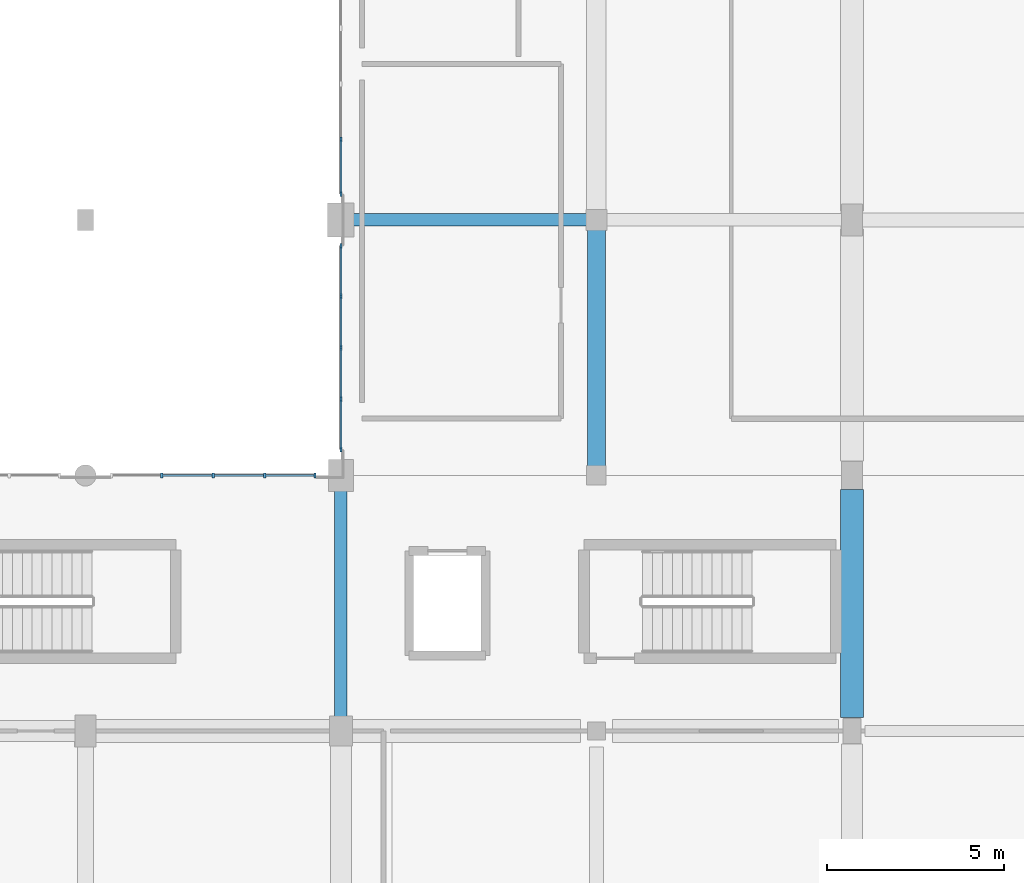
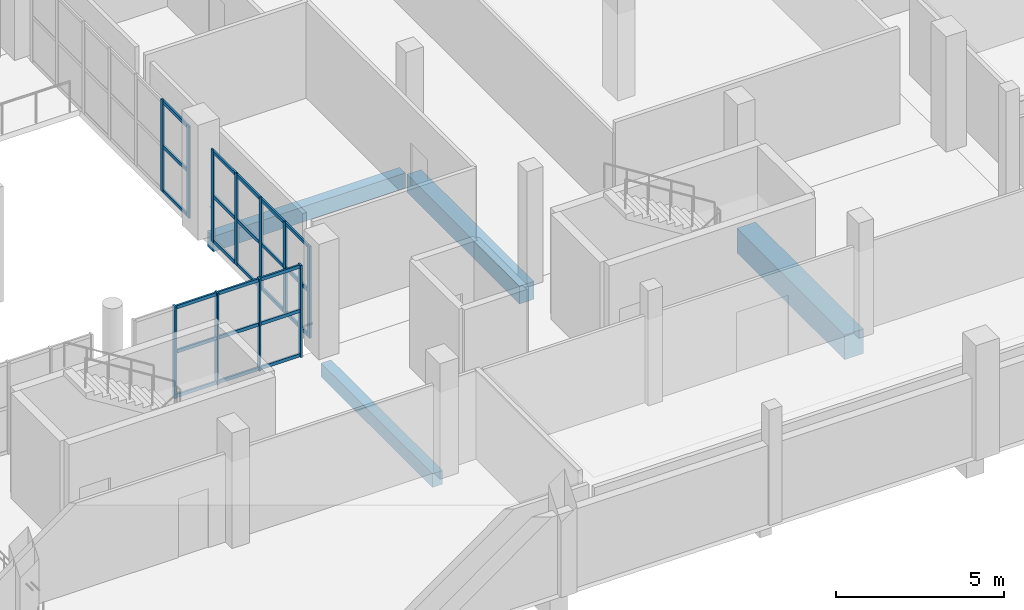
# One storey, part 27 of 92: 35 members, 4 beams, 3 elements without a shape of their own.
"""IFC4 building model written with IfcOpenShell, lengths in metres."""

from ifc_helpers import new_model, si_unit, direction, frame, origin, origin_2d, place, context, subcontext, project, spatial, rectangle, extrude, material, material_profile, profile_set, type_object, element, aggregate, save


model = new_model("IFC4")

# Units and contexts
model_context = context("Model", 3, precision=1e-05, world=origin(), true_north=direction((0.0, 1.0)))
body_context = subcontext(model_context, "Body", "Model", "MODEL_VIEW")
ifc_project = project(units=[si_unit("LENGTHUNIT", "METRE"), si_unit("AREAUNIT", "SQUARE_METRE"), si_unit("VOLUMEUNIT", "CUBIC_METRE"), si_unit("PLANEANGLEUNIT", "RADIAN"), si_unit("MASSUNIT", "GRAM", prefix="KILO")], contexts=[model_context])

# Site, building, storey
site_placement = place(None, origin())
site = spatial("IfcSite", under=ifc_project, at=site_placement, CompositionType="ELEMENT")
building_placement = place(site_placement, origin())
building = spatial("IfcBuilding", under=site, at=building_placement, Name="Solanera Park Tramway Depot", CompositionType="ELEMENT")
storey_placement = place(building_placement, frame((0.0, 0.0, 4.800048828125)))
storey = spatial("IfcBuildingStorey", under=building, at=storey_placement, Name="L01", CompositionType="ELEMENT", Elevation=4.800048828125)

# Curtain wall, members
ifc_material_1 = material(Name="Bronze-anodised thermally broken aluminium curtain wall", Category="aluminium")
curtain_wall_type = type_object("IfcCurtainWallType", Name="Courtyard Cloister Unitised Curtain Wall", PredefinedType="NOTDEFINED", material=ifc_material_1)
curtain_wall_1_placement = place(storey_placement, origin())
curtain_wall_1 = element("IfcCurtainWall", 1, at=curtain_wall_1_placement, inside=storey, type_object=curtain_wall_type, Name="L01 Courtyard Cloister Unitised Curtain Wall #093", PredefinedType="NOTDEFINED")
ifc_material_2 = material(Name="Bronze-anodised structural aluminium 6063-T6", Category="aluminium")
ifc_material_profile_1 = material_profile(ifc_material_2, rectangle(XDim=0.06494140625, YDim=0.14990234375, at=origin_2d()), Name="Curtain Wall Mullion 65x150")
ifc_profile_set_1 = profile_set([ifc_material_profile_1], Name="Bronze-anodised structural aluminium 6063-T6")
member_type_1 = type_object("IfcMemberType", Name="Curtain Wall Mullion 65x150", PredefinedType="MULLION", material=ifc_profile_set_1)
member_1_placement = place(storey_placement, frame((160.550048828125, 25.199951171875, 0.0), z_axis=(0.0, 0.0, 1.0), x_axis=(1.0, 0.0, 0.0)))
member_1 = element("IfcMember", 2, at=member_1_placement, type_object=member_type_1, Name="CW-L01-093 Mullion 2", PredefinedType="MULLION", context=body_context, shape_type="SweptSolid", body=[
    extrude(rectangle(XDim=0.06494140625, YDim=0.14990234375, at=origin_2d()), origin(), (0.0, 0.0, 1.0), 3.349853515625),
])
member_2_placement = place(storey_placement, frame((162.0, 25.199951171875, 0.0), z_axis=(0.0, 0.0, 1.0), x_axis=(1.0, 0.0, 0.0)))
member_2 = element("IfcMember", 3, at=member_2_placement, type_object=member_type_1, Name="CW-L01-093 Mullion 3", PredefinedType="MULLION", context=body_context, shape_type="SweptSolid", body=[
    extrude(rectangle(XDim=0.06494140625, YDim=0.14990234375, at=origin_2d()), origin(), (0.0, 0.0, 1.0), 3.349853515625),
])
member_3_placement = place(storey_placement, frame((163.449951171875, 25.199951171875, 0.0), z_axis=(0.0, 0.0, 1.0), x_axis=(1.0, 0.0, 0.0)))
member_3 = element("IfcMember", 4, at=member_3_placement, type_object=member_type_1, Name="CW-L01-093 Mullion 4", PredefinedType="MULLION", context=body_context, shape_type="SweptSolid", body=[
    extrude(rectangle(XDim=0.06494140625, YDim=0.14990234375, at=origin_2d()), origin(), (0.0, 0.0, 1.0), 3.349853515625),
])
member_4_placement = place(storey_placement, frame((164.867431640625, 25.199951171875, 0.0), z_axis=(0.0, 0.0, 1.0), x_axis=(1.0, 0.0, 0.0)))
member_4 = element("IfcMember", 5, at=member_4_placement, type_object=member_type_1, Name="CW-L01-093 Mullion 5", PredefinedType="MULLION", context=body_context, shape_type="SweptSolid", body=[
    extrude(rectangle(XDim=0.06494140625, YDim=0.14990234375, at=origin_2d()), origin(), (0.0, 0.0, 1.0), 3.349853515625),
])

curtain_wall_2_placement = place(storey_placement, origin())
curtain_wall_2 = element("IfcCurtainWall", 6, at=curtain_wall_2_placement, inside=storey, type_object=curtain_wall_type, Name="L01 Courtyard Cloister Unitised Curtain Wall #101", PredefinedType="NOTDEFINED")
member_5_placement = place(storey_placement, frame((165.60009765625, 31.66748046875, 0.0), z_axis=(0.0, 0.0, 1.0), x_axis=(1.0, 0.0, 0.0)))
member_5 = element("IfcMember", 7, at=member_5_placement, type_object=member_type_1, Name="CW-L01-101 Mullion 1", PredefinedType="MULLION", context=body_context, shape_type="SweptSolid", body=[
    extrude(rectangle(XDim=0.06494140625, YDim=0.14990234375, at=origin_2d()), origin(), (0.0, 0.0, 1.0), 3.349853515625),
])
member_6_placement = place(storey_placement, frame((165.60009765625, 30.25, 0.0), z_axis=(0.0, 0.0, 1.0), x_axis=(1.0, 0.0, 0.0)))
member_6 = element("IfcMember", 8, at=member_6_placement, type_object=member_type_1, Name="CW-L01-101 Mullion 2", PredefinedType="MULLION", context=body_context, shape_type="SweptSolid", body=[
    extrude(rectangle(XDim=0.06494140625, YDim=0.14990234375, at=origin_2d()), origin(), (0.0, 0.0, 1.0), 3.349853515625),
])
member_7_placement = place(storey_placement, frame((165.60009765625, 28.800048828125, 0.0), z_axis=(0.0, 0.0, 1.0), x_axis=(1.0, 0.0, 0.0)))
member_7 = element("IfcMember", 9, at=member_7_placement, type_object=member_type_1, Name="CW-L01-101 Mullion 3", PredefinedType="MULLION", context=body_context, shape_type="SweptSolid", body=[
    extrude(rectangle(XDim=0.06494140625, YDim=0.14990234375, at=origin_2d()), origin(), (0.0, 0.0, 1.0), 3.349853515625),
])
member_8_placement = place(storey_placement, frame((165.60009765625, 27.35009765625, 0.0), z_axis=(0.0, 0.0, 1.0), x_axis=(1.0, 0.0, 0.0)))
member_8 = element("IfcMember", 10, at=member_8_placement, type_object=member_type_1, Name="CW-L01-101 Mullion 4", PredefinedType="MULLION", context=body_context, shape_type="SweptSolid", body=[
    extrude(rectangle(XDim=0.06494140625, YDim=0.14990234375, at=origin_2d()), origin(), (0.0, 0.0, 1.0), 3.349853515625),
])
member_9_placement = place(storey_placement, frame((165.60009765625, 25.9326171875, 0.0), z_axis=(0.0, 0.0, 1.0), x_axis=(1.0, 0.0, 0.0)))
member_9 = element("IfcMember", 11, at=member_9_placement, type_object=member_type_1, Name="CW-L01-101 Mullion 5", PredefinedType="MULLION", context=body_context, shape_type="SweptSolid", body=[
    extrude(rectangle(XDim=0.06494140625, YDim=0.14990234375, at=origin_2d()), origin(), (0.0, 0.0, 1.0), 3.349853515625),
])

curtain_wall_3_placement = place(storey_placement, origin())
curtain_wall_3 = element("IfcCurtainWall", 12, at=curtain_wall_3_placement, inside=storey, type_object=curtain_wall_type, Name="L01 Courtyard Cloister Unitised Curtain Wall #103", PredefinedType="NOTDEFINED")
member_10_placement = place(storey_placement, frame((165.60009765625, 34.666748046875, 0.0), z_axis=(0.0, 0.0, 1.0), x_axis=(1.0, 0.0, 0.0)))
member_10 = element("IfcMember", 13, at=member_10_placement, type_object=member_type_1, Name="CW-L01-103 Mullion 6", PredefinedType="MULLION", context=body_context, shape_type="SweptSolid", body=[
    extrude(rectangle(XDim=0.06494140625, YDim=0.14990234375, at=origin_2d()), origin(), (0.0, 0.0, 1.0), 3.349853515625),
])
member_11_placement = place(storey_placement, frame((165.60009765625, 33.132568359375, 0.0), z_axis=(0.0, 0.0, 1.0), x_axis=(1.0, 0.0, 0.0)))
member_11 = element("IfcMember", 14, at=member_11_placement, type_object=member_type_1, Name="CW-L01-103 Mullion 7", PredefinedType="MULLION", context=body_context, shape_type="SweptSolid", body=[
    extrude(rectangle(XDim=0.06494140625, YDim=0.14990234375, at=origin_2d()), origin(), (0.0, 0.0, 1.0), 3.349853515625),
])

# Member
ifc_material_3 = material(Name="Bronze-anodised structural aluminium 6063-T6", Category="aluminium")
ifc_material_profile_2 = material_profile(ifc_material_3, rectangle(XDim=0.06494140625, YDim=0.1201171875, at=origin_2d()), Name="Curtain Wall Transom 65x120")
ifc_profile_set_2 = profile_set([ifc_material_profile_2], Name="Bronze-anodised structural aluminium 6063-T6")
member_type_2 = type_object("IfcMemberType", Name="Curtain Wall Transom 65x120", PredefinedType="USERDEFINED", material=ifc_profile_set_2)
member_12_placement = place(storey_placement, frame((160.577880859375, 25.199951171875, 0.06005859375), z_axis=(1.0, 0.0, 0.0), x_axis=(0.0, 1.0, 0.0)))
member_12 = element("IfcMember", 15, at=member_12_placement, type_object=member_type_2, Name="CW-L01-093 Transom R1.C2", ObjectType="TRANSOM", PredefinedType="USERDEFINED", context=body_context, shape_type="SweptSolid", body=[
    extrude(rectangle(XDim=0.06494140625, YDim=0.1201171875, at=origin_2d()), origin(), (0.0, 0.0, 1.0), 1.39404296875),
])

member_13_placement = place(storey_placement, frame((162.028076171875, 25.199951171875, 0.06005859375), z_axis=(1.0, 0.0, 0.0), x_axis=(0.0, 1.0, 0.0)))
member_13 = element("IfcMember", 16, at=member_13_placement, type_object=member_type_2, Name="CW-L01-093 Transom R1.C3", ObjectType="TRANSOM", PredefinedType="USERDEFINED", context=body_context, shape_type="SweptSolid", body=[
    extrude(rectangle(XDim=0.06494140625, YDim=0.1201171875, at=origin_2d()), origin(), (0.0, 0.0, 1.0), 1.39404296875),
])

member_14_placement = place(storey_placement, frame((163.47802734375, 25.199951171875, 0.06005859375), z_axis=(1.0, 0.0, 0.0), x_axis=(0.0, 1.0, 0.0)))
member_14 = element("IfcMember", 17, at=member_14_placement, type_object=member_type_2, Name="CW-L01-093 Transom R1.C4", ObjectType="TRANSOM", PredefinedType="USERDEFINED", context=body_context, shape_type="SweptSolid", body=[
    extrude(rectangle(XDim=0.06494140625, YDim=0.1201171875, at=origin_2d()), origin(), (0.0, 0.0, 1.0), 1.361572265625),
])

member_15_placement = place(storey_placement, frame((160.577880859375, 25.199951171875, 1.675048828125), z_axis=(1.0, 0.0, 0.0), x_axis=(0.0, 1.0, 0.0)))
member_15 = element("IfcMember", 18, at=member_15_placement, type_object=member_type_2, Name="CW-L01-093 Transom R2.C2", ObjectType="TRANSOM", PredefinedType="USERDEFINED", context=body_context, shape_type="SweptSolid", body=[
    extrude(rectangle(XDim=0.06494140625, YDim=0.1201171875, at=origin_2d()), origin(), (0.0, 0.0, 1.0), 1.39404296875),
])

member_16_placement = place(storey_placement, frame((162.028076171875, 25.199951171875, 1.675048828125), z_axis=(1.0, 0.0, 0.0), x_axis=(0.0, 1.0, 0.0)))
member_16 = element("IfcMember", 19, at=member_16_placement, type_object=member_type_2, Name="CW-L01-093 Transom R2.C3", ObjectType="TRANSOM", PredefinedType="USERDEFINED", context=body_context, shape_type="SweptSolid", body=[
    extrude(rectangle(XDim=0.06494140625, YDim=0.1201171875, at=origin_2d()), origin(), (0.0, 0.0, 1.0), 1.39404296875),
])

member_17_placement = place(storey_placement, frame((163.47802734375, 25.199951171875, 1.675048828125), z_axis=(1.0, 0.0, 0.0), x_axis=(0.0, 1.0, 0.0)))
member_17 = element("IfcMember", 20, at=member_17_placement, type_object=member_type_2, Name="CW-L01-093 Transom R2.C4", ObjectType="TRANSOM", PredefinedType="USERDEFINED", context=body_context, shape_type="SweptSolid", body=[
    extrude(rectangle(XDim=0.06494140625, YDim=0.1201171875, at=origin_2d()), origin(), (0.0, 0.0, 1.0), 1.361572265625),
])

member_18_placement = place(storey_placement, frame((160.577880859375, 25.199951171875, 3.2900390625), z_axis=(1.0, 0.0, 0.0), x_axis=(0.0, 1.0, 0.0)))
member_18 = element("IfcMember", 21, at=member_18_placement, type_object=member_type_2, Name="CW-L01-093 Transom R3.C2", ObjectType="TRANSOM", PredefinedType="USERDEFINED", context=body_context, shape_type="SweptSolid", body=[
    extrude(rectangle(XDim=0.06494140625, YDim=0.1201171875, at=origin_2d()), origin(), (0.0, 0.0, 1.0), 1.39404296875),
])

member_19_placement = place(storey_placement, frame((162.028076171875, 25.199951171875, 3.2900390625), z_axis=(1.0, 0.0, 0.0), x_axis=(0.0, 1.0, 0.0)))
member_19 = element("IfcMember", 22, at=member_19_placement, type_object=member_type_2, Name="CW-L01-093 Transom R3.C3", ObjectType="TRANSOM", PredefinedType="USERDEFINED", context=body_context, shape_type="SweptSolid", body=[
    extrude(rectangle(XDim=0.06494140625, YDim=0.1201171875, at=origin_2d()), origin(), (0.0, 0.0, 1.0), 1.39404296875),
])

member_20_placement = place(storey_placement, frame((163.47802734375, 25.199951171875, 3.2900390625), z_axis=(1.0, 0.0, 0.0), x_axis=(0.0, 1.0, 0.0)))
member_20 = element("IfcMember", 23, at=member_20_placement, type_object=member_type_2, Name="CW-L01-093 Transom R3.C4", ObjectType="TRANSOM", PredefinedType="USERDEFINED", context=body_context, shape_type="SweptSolid", body=[
    extrude(rectangle(XDim=0.06494140625, YDim=0.1201171875, at=origin_2d()), origin(), (0.0, 0.0, 1.0), 1.361572265625),
])

aggregate(curtain_wall_1, [member_1, member_2, member_3, member_4, member_12, member_13, member_14, member_15, member_16, member_17, member_18, member_19, member_20])

member_21_placement = place(storey_placement, frame((165.60009765625, 31.639404296875, 0.06005859375), z_axis=(0.0, -1.0, 0.0), x_axis=(1.0, 0.0, 0.0)))
member_21 = element("IfcMember", 24, at=member_21_placement, type_object=member_type_2, Name="CW-L01-101 Transom R1.C1", ObjectType="TRANSOM", PredefinedType="USERDEFINED", context=body_context, shape_type="SweptSolid", body=[
    extrude(rectangle(XDim=0.06494140625, YDim=0.1201171875, at=origin_2d()), origin(), (0.0, 0.0, 1.0), 1.361328125),
])

member_22_placement = place(storey_placement, frame((165.60009765625, 30.221923828125, 0.06005859375), z_axis=(0.0, -1.0, 0.0), x_axis=(1.0, 0.0, 0.0)))
member_22 = element("IfcMember", 25, at=member_22_placement, type_object=member_type_2, Name="CW-L01-101 Transom R1.C2", ObjectType="TRANSOM", PredefinedType="USERDEFINED", context=body_context, shape_type="SweptSolid", body=[
    extrude(rectangle(XDim=0.06494140625, YDim=0.1201171875, at=origin_2d()), origin(), (0.0, 0.0, 1.0), 1.39404296875),
])

member_23_placement = place(storey_placement, frame((165.60009765625, 28.77197265625, 0.06005859375), z_axis=(0.0, -1.0, 0.0), x_axis=(1.0, 0.0, 0.0)))
member_23 = element("IfcMember", 26, at=member_23_placement, type_object=member_type_2, Name="CW-L01-101 Transom R1.C3", ObjectType="TRANSOM", PredefinedType="USERDEFINED", context=body_context, shape_type="SweptSolid", body=[
    extrude(rectangle(XDim=0.06494140625, YDim=0.1201171875, at=origin_2d()), origin(), (0.0, 0.0, 1.0), 1.39404296875),
])

member_24_placement = place(storey_placement, frame((165.60009765625, 27.322021484375, 0.06005859375), z_axis=(0.0, -1.0, 0.0), x_axis=(1.0, 0.0, 0.0)))
member_24 = element("IfcMember", 27, at=member_24_placement, type_object=member_type_2, Name="CW-L01-101 Transom R1.C4", ObjectType="TRANSOM", PredefinedType="USERDEFINED", context=body_context, shape_type="SweptSolid", body=[
    extrude(rectangle(XDim=0.06494140625, YDim=0.1201171875, at=origin_2d()), origin(), (0.0, 0.0, 1.0), 1.361572265625),
])

member_25_placement = place(storey_placement, frame((165.60009765625, 31.639404296875, 1.675048828125), z_axis=(0.0, -1.0, 0.0), x_axis=(1.0, 0.0, 0.0)))
member_25 = element("IfcMember", 28, at=member_25_placement, type_object=member_type_2, Name="CW-L01-101 Transom R2.C1", ObjectType="TRANSOM", PredefinedType="USERDEFINED", context=body_context, shape_type="SweptSolid", body=[
    extrude(rectangle(XDim=0.06494140625, YDim=0.1201171875, at=origin_2d()), origin(), (0.0, 0.0, 1.0), 1.361328125),
])

member_26_placement = place(storey_placement, frame((165.60009765625, 30.221923828125, 1.675048828125), z_axis=(0.0, -1.0, 0.0), x_axis=(1.0, 0.0, 0.0)))
member_26 = element("IfcMember", 29, at=member_26_placement, type_object=member_type_2, Name="CW-L01-101 Transom R2.C2", ObjectType="TRANSOM", PredefinedType="USERDEFINED", context=body_context, shape_type="SweptSolid", body=[
    extrude(rectangle(XDim=0.06494140625, YDim=0.1201171875, at=origin_2d()), origin(), (0.0, 0.0, 1.0), 1.39404296875),
])

member_27_placement = place(storey_placement, frame((165.60009765625, 28.77197265625, 1.675048828125), z_axis=(0.0, -1.0, 0.0), x_axis=(1.0, 0.0, 0.0)))
member_27 = element("IfcMember", 30, at=member_27_placement, type_object=member_type_2, Name="CW-L01-101 Transom R2.C3", ObjectType="TRANSOM", PredefinedType="USERDEFINED", context=body_context, shape_type="SweptSolid", body=[
    extrude(rectangle(XDim=0.06494140625, YDim=0.1201171875, at=origin_2d()), origin(), (0.0, 0.0, 1.0), 1.39404296875),
])

member_28_placement = place(storey_placement, frame((165.60009765625, 27.322021484375, 1.675048828125), z_axis=(0.0, -1.0, 0.0), x_axis=(1.0, 0.0, 0.0)))
member_28 = element("IfcMember", 31, at=member_28_placement, type_object=member_type_2, Name="CW-L01-101 Transom R2.C4", ObjectType="TRANSOM", PredefinedType="USERDEFINED", context=body_context, shape_type="SweptSolid", body=[
    extrude(rectangle(XDim=0.06494140625, YDim=0.1201171875, at=origin_2d()), origin(), (0.0, 0.0, 1.0), 1.361572265625),
])

member_29_placement = place(storey_placement, frame((165.60009765625, 31.639404296875, 3.2900390625), z_axis=(0.0, -1.0, 0.0), x_axis=(1.0, 0.0, 0.0)))
member_29 = element("IfcMember", 32, at=member_29_placement, type_object=member_type_2, Name="CW-L01-101 Transom R3.C1", ObjectType="TRANSOM", PredefinedType="USERDEFINED", context=body_context, shape_type="SweptSolid", body=[
    extrude(rectangle(XDim=0.06494140625, YDim=0.1201171875, at=origin_2d()), origin(), (0.0, 0.0, 1.0), 1.361328125),
])

member_30_placement = place(storey_placement, frame((165.60009765625, 30.221923828125, 3.2900390625), z_axis=(0.0, -1.0, 0.0), x_axis=(1.0, 0.0, 0.0)))
member_30 = element("IfcMember", 33, at=member_30_placement, type_object=member_type_2, Name="CW-L01-101 Transom R3.C2", ObjectType="TRANSOM", PredefinedType="USERDEFINED", context=body_context, shape_type="SweptSolid", body=[
    extrude(rectangle(XDim=0.06494140625, YDim=0.1201171875, at=origin_2d()), origin(), (0.0, 0.0, 1.0), 1.39404296875),
])

member_31_placement = place(storey_placement, frame((165.60009765625, 28.77197265625, 3.2900390625), z_axis=(0.0, -1.0, 0.0), x_axis=(1.0, 0.0, 0.0)))
member_31 = element("IfcMember", 34, at=member_31_placement, type_object=member_type_2, Name="CW-L01-101 Transom R3.C3", ObjectType="TRANSOM", PredefinedType="USERDEFINED", context=body_context, shape_type="SweptSolid", body=[
    extrude(rectangle(XDim=0.06494140625, YDim=0.1201171875, at=origin_2d()), origin(), (0.0, 0.0, 1.0), 1.39404296875),
])

member_32_placement = place(storey_placement, frame((165.60009765625, 27.322021484375, 3.2900390625), z_axis=(0.0, -1.0, 0.0), x_axis=(1.0, 0.0, 0.0)))
member_32 = element("IfcMember", 35, at=member_32_placement, type_object=member_type_2, Name="CW-L01-101 Transom R3.C4", ObjectType="TRANSOM", PredefinedType="USERDEFINED", context=body_context, shape_type="SweptSolid", body=[
    extrude(rectangle(XDim=0.06494140625, YDim=0.1201171875, at=origin_2d()), origin(), (0.0, 0.0, 1.0), 1.361572265625),
])

aggregate(curtain_wall_2, [member_5, member_6, member_7, member_8, member_9, member_21, member_22, member_23, member_24, member_25, member_26, member_27, member_28, member_29, member_30, member_31, member_32])

member_33_placement = place(storey_placement, frame((165.60009765625, 34.638671875, 0.06005859375), z_axis=(0.0, -1.0, 0.0), x_axis=(1.0, 0.0, 0.0)))
member_33 = element("IfcMember", 36, at=member_33_placement, type_object=member_type_2, Name="CW-L01-103 Transom R1.C6", ObjectType="TRANSOM", PredefinedType="USERDEFINED", context=body_context, shape_type="SweptSolid", body=[
    extrude(rectangle(XDim=0.06494140625, YDim=0.1201171875, at=origin_2d()), origin(), (0.0, 0.0, 1.0), 1.478271484375),
])

member_34_placement = place(storey_placement, frame((165.60009765625, 34.638671875, 1.675048828125), z_axis=(0.0, -1.0, 0.0), x_axis=(1.0, 0.0, 0.0)))
member_34 = element("IfcMember", 37, at=member_34_placement, type_object=member_type_2, Name="CW-L01-103 Transom R2.C6", ObjectType="TRANSOM", PredefinedType="USERDEFINED", context=body_context, shape_type="SweptSolid", body=[
    extrude(rectangle(XDim=0.06494140625, YDim=0.1201171875, at=origin_2d()), origin(), (0.0, 0.0, 1.0), 1.478271484375),
])

member_35_placement = place(storey_placement, frame((165.60009765625, 34.638671875, 3.2900390625), z_axis=(0.0, -1.0, 0.0), x_axis=(1.0, 0.0, 0.0)))
member_35 = element("IfcMember", 38, at=member_35_placement, type_object=member_type_2, Name="CW-L01-103 Transom R3.C6", ObjectType="TRANSOM", PredefinedType="USERDEFINED", context=body_context, shape_type="SweptSolid", body=[
    extrude(rectangle(XDim=0.06494140625, YDim=0.1201171875, at=origin_2d()), origin(), (0.0, 0.0, 1.0), 1.478271484375),
])

aggregate(curtain_wall_3, [member_10, member_11, member_33, member_34, member_35])

# Beams
ifc_material_4 = material(Name="Concrete N40 (C40/50)", Category="concrete")
ifc_material_profile_3 = material_profile(ifc_material_4, rectangle(XDim=0.35009765625, YDim=0.5, at=origin_2d()), Name="RCB 350x500")
ifc_profile_set_3 = profile_set([ifc_material_profile_3], Name="Concrete N40 (C40/50)")
beam_type_1 = type_object("IfcBeamType", Name="RC Floor Beam RCB 350x500", PredefinedType="BEAM", material=ifc_profile_set_3)
beam_1_placement = place(storey_placement, frame((165.60009765625, 18.27490234375, -0.529052734375), z_axis=(0.0, 1.0, 0.0), x_axis=(-1.0, 0.0, 0.0)))
element("IfcBeam", 39, at=beam_1_placement, inside=storey, type_object=beam_type_1, Name="L01 Primary Y-Girder RCB 350x500 #0067", PredefinedType="BEAM", context=body_context, shape_type="SweptSolid", body=[
    extrude(rectangle(XDim=0.35009765625, YDim=0.5, at=origin_2d()), origin(), (0.0, 0.0, 1.0), 6.650146484375),
])
ifc_material_5 = material(Name="Concrete N40 (C40/50)", Category="concrete")
ifc_material_profile_4 = material_profile(ifc_material_5, rectangle(XDim=0.35009765625, YDim=0.550048828125, at=origin_2d()), Name="RCB 350x550")
ifc_profile_set_4 = profile_set([ifc_material_profile_4], Name="Concrete N40 (C40/50)")
beam_type_2 = type_object("IfcBeamType", Name="RC Floor Beam RCB 350x550", PredefinedType="BEAM", material=ifc_profile_set_4)
beam_2_placement = place(storey_placement, frame((165.925048828125, 32.39990234375, -0.553955078125), z_axis=(1.0, 0.0, 0.0), x_axis=(0.0, 1.0, 0.0)))
element("IfcBeam", 40, at=beam_2_placement, inside=storey, type_object=beam_type_2, Name="L01 Primary X-Girder RCB 350x550 #0022", PredefinedType="BEAM", context=body_context, shape_type="SweptSolid", body=[
    extrude(rectangle(XDim=0.35009765625, YDim=0.550048828125, at=origin_2d()), origin(), (0.0, 0.0, 1.0), 6.625),
])
ifc_material_6 = material(Name="Concrete N40 (C40/50)", Category="concrete")
ifc_material_profile_5 = material_profile(ifc_material_6, rectangle(XDim=0.5, YDim=0.64990234375, at=origin_2d()), Name="RCB 500x650")
ifc_profile_set_5 = profile_set([ifc_material_profile_5], Name="Concrete N40 (C40/50)")
beam_type_3 = type_object("IfcBeamType", Name="RC Floor Beam RCB 500x650", PredefinedType="BEAM", material=ifc_profile_set_5)
beam_3_placement = place(storey_placement, frame((172.800048828125, 25.425048828125, -0.60400390625), z_axis=(0.0, 1.0, 0.0), x_axis=(-1.0, 0.0, 0.0)))
element("IfcBeam", 41, at=beam_3_placement, inside=storey, type_object=beam_type_3, Name="L01 Primary Y-Girder RCB 500x650 #0069", PredefinedType="BEAM", context=body_context, shape_type="SweptSolid", body=[
    extrude(rectangle(XDim=0.5, YDim=0.64990234375, at=origin_2d()), origin(), (0.0, 0.0, 1.0), 6.724853515625),
])
ifc_material_7 = material(Name="Concrete N40 (C40/50)", Category="concrete")
ifc_material_profile_6 = material_profile(ifc_material_7, rectangle(XDim=0.64990234375, YDim=0.89990234375, at=origin_2d()), Name="RCB 650x900")
ifc_profile_set_6 = profile_set([ifc_material_profile_6], Name="Concrete N40 (C40/50)")
beam_type_4 = type_object("IfcBeamType", Name="RC Floor Beam RCB 650x900", PredefinedType="BEAM", material=ifc_profile_set_6)
beam_4_placement = place(storey_placement, frame((180.0, 18.375, -0.72900390625), z_axis=(0.0, 1.0, 0.0), x_axis=(-1.0, 0.0, 0.0)))
element("IfcBeam", 42, at=beam_4_placement, inside=storey, type_object=beam_type_4, Name="L01 Primary Y-Girder RCB 650x900 #0073", PredefinedType="BEAM", context=body_context, shape_type="SweptSolid", body=[
    extrude(rectangle(XDim=0.64990234375, YDim=0.89990234375, at=origin_2d()), origin(), (0.0, 0.0, 1.0), 6.425048828125),
])

save(model, "model.ifc")
